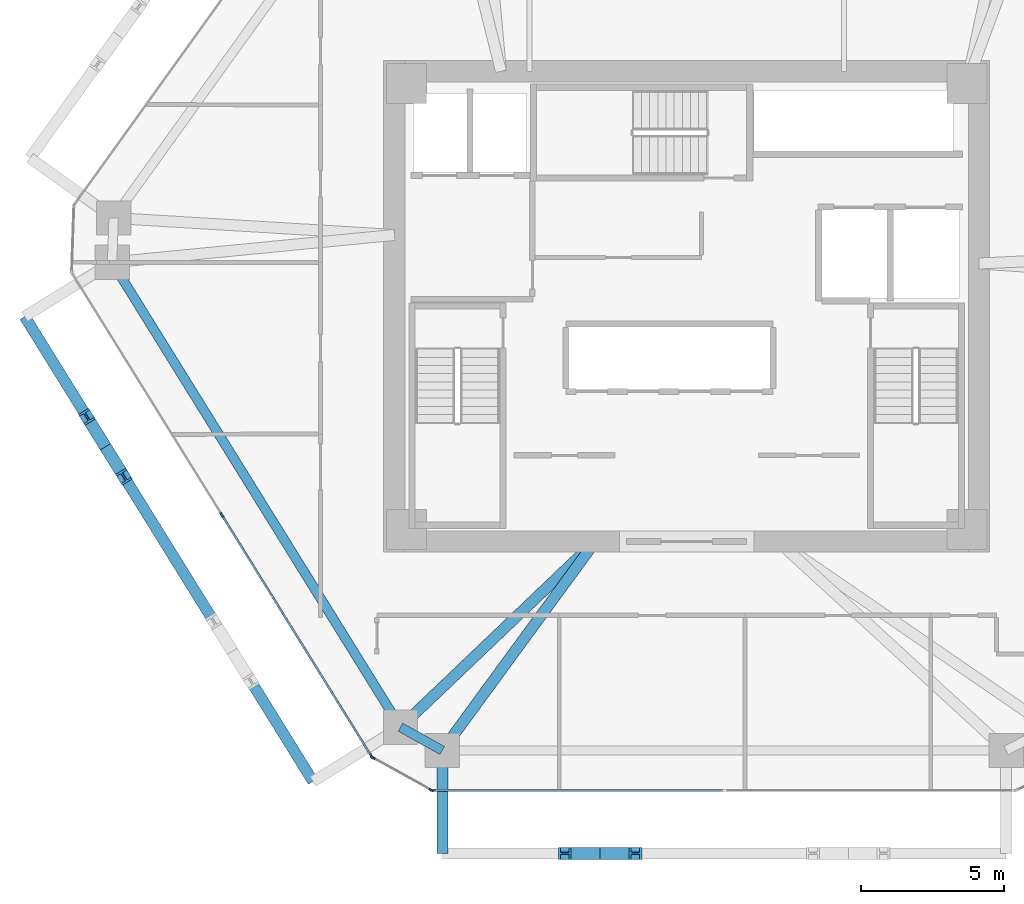
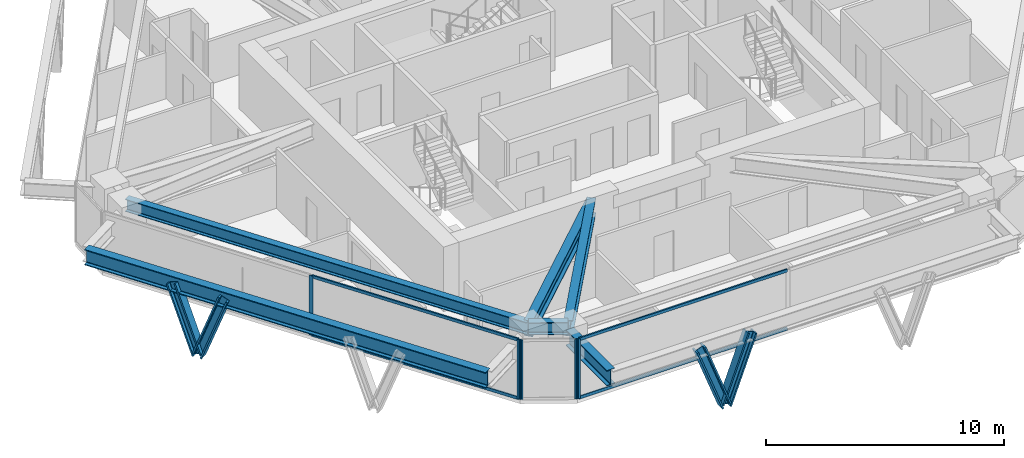
# One storey, part 2 of 14: 13 members, 6 beams, 3 elements without a shape of their own.
"""IFC4 building model written with IfcOpenShell, lengths in metres."""

from ifc_helpers import new_model, si_unit, direction, frame, origin, origin_2d, place, context, subcontext, project, spatial, rectangle, i_section, extrude, source, transform, mapped, material, layer, layer_set, material_profile, profile_set, type_object, type_shapes, element, aggregate, save


model = new_model("IFC4")

# Units and contexts
model_context = context("Model", 3, precision=1e-05, world=origin(), true_north=direction((0.0, 1.0)))
body_context = subcontext(model_context, "Body", "Model", "MODEL_VIEW")
ifc_project = project(units=[si_unit("LENGTHUNIT", "METRE"), si_unit("AREAUNIT", "SQUARE_METRE"), si_unit("VOLUMEUNIT", "CUBIC_METRE"), si_unit("PLANEANGLEUNIT", "RADIAN"), si_unit("MASSUNIT", "GRAM", prefix="KILO")], contexts=[model_context])

# Site, building, storey
site_placement = place(None, origin())
site = spatial("IfcSite", under=ifc_project, at=site_placement, CompositionType="ELEMENT")
building_placement = place(site_placement, origin())
building = spatial("IfcBuilding", under=site, at=building_placement, Name="Durnholm Broadcast Tower", CompositionType="ELEMENT")
storey_placement = place(building_placement, frame((0.0, 0.0, 114.0)))
storey = spatial("IfcBuildingStorey", under=building, at=storey_placement, Name="L30", CompositionType="ELEMENT", Elevation=114.0)

# Beams
ifc_material_1 = material(Name="Steel ASTM A992 Grade 50", Category="steel")
ifc_material_profile_1 = material_profile(ifc_material_1, i_section(OverallWidth=0.385009765625, OverallDepth=0.802978515625, WebThickness=0.023681640625, FlangeThickness=0.0419921875, FilletRadius=0.032958984375, at=origin_2d()), Name="W30X261")
ifc_profile_set_1 = profile_set([ifc_material_profile_1], Name="Steel ASTM A992 Grade 50")
beam_type_1 = type_object("IfcBeamType", Name="BM-EXO-TIE", PredefinedType="USERDEFINED", material=ifc_profile_set_1)
shared_shape_1 = source(origin(), body_context, "Body", "SweptSolid", [
    extrude(i_section(OverallWidth=0.385009765625, OverallDepth=0.802978515625, WebThickness=0.023681640625, FlangeThickness=0.0419921875, FilletRadius=0.032958984375, at=origin_2d()), origin(), (0.0, 0.0, 1.0), 3.4560546875),
])
beam_1_placement = place(storey_placement, frame((-8.552001953125, -15.680908203125, 2.30859375), z_axis=(0.0, -1.0, 0.0), x_axis=(1.0, 0.0, 0.0)))
element("IfcBeam", 1, at=beam_1_placement, inside=storey, type_object=beam_type_1, Name="L30 exoskeleton stand-off tie bracket F1.1", ObjectType="GIRDER", PredefinedType="USERDEFINED", context=body_context, shape_type="MappedRepresentation", body=[
    mapped(shared_shape_1, transform((0.0, 0.0, 0.0), x_axis=(1.0, 0.0, 0.0), y_axis=(0.0, 1.0, 0.0), z_axis=(0.0, 0.0, 1.0), scale=1.0)),
])
ifc_material_profile_2 = material_profile(ifc_material_1, i_section(OverallWidth=0.3291015625, OverallDepth=0.635009765625, WebThickness=0.017822265625, FlangeThickness=0.031005859375, FilletRadius=0.02783203125, at=origin_2d()), Name="W24X162")
ifc_profile_set_2 = profile_set([ifc_material_profile_2], Name="Steel ASTM A992 Grade 50")
beam_type_2 = type_object("IfcBeamType", Name="STL-SP-W24X162", PredefinedType="SPANDREL", material=ifc_profile_set_2)
shared_shape_2 = source(origin(), body_context, "Body", "SweptSolid", [
    extrude(i_section(OverallWidth=0.3291015625, OverallDepth=0.635009765625, WebThickness=0.017822265625, FlangeThickness=0.031005859375, FilletRadius=0.02783203125, at=origin_2d()), origin(), (0.0, 0.0, 1.0), 19.1396484375),
])
beam_2_placement = place(storey_placement, frame((-10.01416015625, -14.723388671875, 2.7275390625), z_axis=(-0.527105324954, 0.849799962582, 0.0), x_axis=(-0.849799962582, -0.527105324954, 0.0)))
element("IfcBeam", 2, at=beam_2_placement, inside=storey, type_object=beam_type_2, Name="L30 perimeter spandrel girder 01", PredefinedType="SPANDREL", context=body_context, shape_type="MappedRepresentation", body=[
    mapped(shared_shape_2, transform((0.0, 0.0, 0.0), x_axis=(1.0, 0.0, 0.0), y_axis=(0.0, 1.0, 0.0), z_axis=(0.0, 0.0, 1.0), scale=1.0)),
])
shared_shape_3 = source(origin(), body_context, "Body", "SweptSolid", [
    extrude(i_section(OverallWidth=0.3291015625, OverallDepth=0.635009765625, WebThickness=0.017822265625, FlangeThickness=0.031005859375, FilletRadius=0.02783203125, at=origin_2d()), origin(), (0.0, 0.0, 1.0), 1.67333984375),
])
type_shapes(beam_type_2, [shared_shape_2, shared_shape_3])
beam_3_placement = place(storey_placement, frame((-8.552001953125, -15.537109375, 2.7275390625), z_axis=(-0.873799169188, 0.486286964586, 0.0), x_axis=(-0.486286964586, -0.873799169188, 0.0)))
element("IfcBeam", 3, at=beam_3_placement, inside=storey, type_object=beam_type_2, Name="L30 perimeter spandrel girder 12", PredefinedType="SPANDREL", context=body_context, shape_type="MappedRepresentation", body=[
    mapped(shared_shape_3, transform((0.0, 0.0, 0.0), x_axis=(1.0, 0.0, 0.0), y_axis=(0.0, 1.0, 0.0), z_axis=(0.0, 0.0, 1.0), scale=1.0)),
])
ifc_material_profile_3 = material_profile(ifc_material_1, i_section(OverallWidth=0.385009765625, OverallDepth=0.802978515625, WebThickness=0.023681640625, FlangeThickness=0.0419921875, FilletRadius=0.032958984375, at=origin_2d()), Name="W30X261")
ifc_profile_set_3 = profile_set([ifc_material_profile_3], Name="Steel ASTM A992 Grade 50")
beam_type_3 = type_object("IfcBeamType", Name="STL-GR-W30X261", PredefinedType="USERDEFINED", material=ifc_profile_set_3)
shared_shape_4 = source(origin(), body_context, "Body", "SweptSolid", [
    extrude(i_section(OverallWidth=0.385009765625, OverallDepth=0.802978515625, WebThickness=0.023681640625, FlangeThickness=0.0419921875, FilletRadius=0.032958984375, at=origin_2d()), origin(), (0.0, 0.0, 1.0), 9.416015625),
])
beam_4_placement = place(storey_placement, frame((-3.199951171875, -8.22509765625, 2.6435546875), z_axis=(-0.723683335801, -0.690132182617, 0.0), x_axis=(0.690132182617, -0.723683335801, 0.0)))
element("IfcBeam", 4, at=beam_4_placement, inside=storey, type_object=beam_type_3, Name="L30 radial primary floor girder 01", ObjectType="GIRDER", PredefinedType="USERDEFINED", context=body_context, shape_type="MappedRepresentation", body=[
    mapped(shared_shape_4, transform((0.0, 0.0, 0.0), x_axis=(1.0, 0.0, 0.0), y_axis=(0.0, 1.0, 0.0), z_axis=(0.0, 0.0, 1.0), scale=1.0)),
])
shared_shape_5 = source(origin(), body_context, "Body", "SweptSolid", [
    extrude(i_section(OverallWidth=0.385009765625, OverallDepth=0.802978515625, WebThickness=0.023681640625, FlangeThickness=0.0419921875, FilletRadius=0.032958984375, at=origin_2d()), origin(), (0.0, 0.0, 1.0), 9.0615234375),
])
type_shapes(beam_type_3, [shared_shape_4, shared_shape_5])
beam_5_placement = place(storey_placement, frame((-3.199951171875, -8.22509765625, 2.6435546875), z_axis=(-0.590639241086, -0.806935739008, 0.0), x_axis=(0.806935739008, -0.590639241086, 0.0)))
element("IfcBeam", 5, at=beam_5_placement, inside=storey, type_object=beam_type_3, Name="L30 radial primary floor girder 12", ObjectType="GIRDER", PredefinedType="USERDEFINED", context=body_context, shape_type="MappedRepresentation", body=[
    mapped(shared_shape_5, transform((0.0, 0.0, 0.0), x_axis=(1.0, 0.0, 0.0), y_axis=(0.0, 1.0, 0.0), z_axis=(0.0, 0.0, 1.0), scale=1.0)),
])
shared_shape_6 = source(origin(), body_context, "Body", "SweptSolid", [
    extrude(i_section(OverallWidth=0.385009765625, OverallDepth=0.802978515625, WebThickness=0.023681640625, FlangeThickness=0.0419921875, FilletRadius=0.032958984375, at=origin_2d()), origin(), (0.0, 0.0, 1.0), 19.139404296875),
])
type_shapes(beam_type_1, [shared_shape_1, shared_shape_6])
beam_6_placement = place(storey_placement, frame((-23.162109375, -0.356201171875, 2.30859375), z_axis=(0.527111038734, -0.84979641847, 0.0), x_axis=(0.84979641847, 0.527111038734, 0.0)))
element("IfcBeam", 6, at=beam_6_placement, inside=storey, type_object=beam_type_1, Name="L30 exoskeleton collector spandrel F6", PredefinedType="SPANDREL", context=body_context, shape_type="MappedRepresentation", body=[
    mapped(shared_shape_6, transform((0.0, 0.0, 0.0), x_axis=(1.0, 0.0, 0.0), y_axis=(0.0, 1.0, 0.0), z_axis=(0.0, 0.0, 1.0), scale=1.0)),
])

# Members
ifc_material_2 = material(Name="Steel ASTM A913 Grade 65", Category="steel")
ifc_material_profile_4 = material_profile(ifc_material_2, i_section(OverallWidth=0.424072265625, OverallDepth=0.47412109375, WebThickness=0.047607421875, FlangeThickness=0.0771484375, FilletRadius=0.030517578125, at=origin_2d()), Name="W14X426")
ifc_profile_set_4 = profile_set([ifc_material_profile_4], Name="Steel ASTM A913 Grade 65")
member_type_1 = type_object("IfcMemberType", Name="STL-DG-W14X426", PredefinedType="BRACE", material=ifc_profile_set_4)
shared_shape_7 = source(origin(), body_context, "Body", "SweptSolid", [
    extrude(i_section(OverallWidth=0.424072265625, OverallDepth=0.47412109375, WebThickness=0.047607421875, FlangeThickness=0.0771484375, FilletRadius=0.030517578125, at=origin_2d()), origin(), (0.0, 0.0, 1.0), 3.523193359375),
])
type_shapes(member_type_1, [shared_shape_7])
for number, where, z_axis, x_axis, name in (
    (7, (-3.028076171875, -19.136962890625, -0.991455078125), (-0.350219588454, 0.0, 0.936667625075), (0.0, -1.0, 0.0), "L30 stand-off diagrid brace F1.D1.1"),
    (8, (-3.028076171875, -19.136962890625, -0.991455078125), (0.350219588454, 0.0, 0.936667625075), (0.0, 1.0, 0.0), "L30 stand-off diagrid brace F1.D1.2"),
    (9, (-20.337158203125, -4.910400390625, -0.991455078125), (-0.184602835855, 0.297623566065, 0.936665364961), (-0.849805205368, -0.527096872433, 0.0), "L30 stand-off diagrid brace F6.D1.1"),
    (10, (-20.337158203125, -4.910400390625, -0.991455078125), (0.184606642766, -0.297560406921, 0.936684681032), (0.849750220063, 0.527185511469, 0.0), "L30 stand-off diagrid brace F6.D1.2"),
):
    element("IfcMember", number, at=place(storey_placement, frame(where, z_axis=z_axis, x_axis=x_axis)), inside=storey, type_object=member_type_1, Name=name, PredefinedType="BRACE", context=body_context, shape_type="MappedRepresentation", body=[
        mapped(shared_shape_7, transform((0.0, 0.0, 0.0), x_axis=(1.0, 0.0, 0.0), y_axis=(0.0, 1.0, 0.0), z_axis=(0.0, 0.0, 1.0), scale=1.0)),
    ])

# Curtain wall, members
ifc_material_3 = material(Name="Aluminium and Solar Control IGU", Category="aluminium")
ifc_layer_1 = layer(ifc_material_3, 0.1650390625)
ifc_layer_set_1 = layer_set([ifc_layer_1], Name="Aluminium and Solar Control IGU")
curtain_wall_type_1 = type_object("IfcCurtainWallType", Name="CW-SYS-5", PredefinedType="NOTDEFINED", material=ifc_layer_set_1)
curtain_wall_1_placement = place(storey_placement, origin())
curtain_wall_1 = element("IfcCurtainWall", 11, at=curtain_wall_1_placement, inside=storey, type_object=curtain_wall_type_1, Name="L30 curtain wall CW-CORNER CW-L30-CRN-11", PredefinedType="NOTDEFINED")
ifc_material_4 = material(Name="Aluminium 6063-T6", Category="aluminium")
ifc_material_profile_5 = material_profile(ifc_material_4, rectangle(XDim=0.06494140625, YDim=0.1650390625, at=origin_2d()), Name="CWM65X165")
ifc_profile_set_5 = profile_set([ifc_material_profile_5], Name="Aluminium 6063-T6")
member_type_2 = type_object("IfcMemberType", Name="CW-SYS-5-MUL", PredefinedType="MULLION", material=ifc_profile_set_5)
shared_shape_8 = source(origin(), body_context, "Body", "SweptSolid", [
    extrude(rectangle(XDim=0.06494140625, YDim=0.1650390625, at=origin_2d()), origin(), (0.0, 0.0, 1.0), 3.06005859375),
])
type_shapes(member_type_2, [shared_shape_8])
member_1_placement = place(storey_placement, frame((-8.943603515625, -16.921142578125, 0.0), z_axis=(0.0, 0.0, 1.0), x_axis=(-0.486244224192, -0.873822953715, 0.0)))
member_1 = element("IfcMember", 12, at=member_1_placement, type_object=member_type_2, Name="CW-CORNER mullion 1", PredefinedType="MULLION", context=body_context, shape_type="MappedRepresentation", body=[
    mapped(shared_shape_8, transform((0.0, 0.0, 0.0), x_axis=(1.0, 0.0, 0.0), y_axis=(0.0, 1.0, 0.0), z_axis=(0.0, 0.0, 1.0), scale=1.0)),
])
member_2_placement = place(storey_placement, frame((-10.98388671875, -15.785888671875, 0.0), z_axis=(0.0, 0.0, 1.0), x_axis=(-0.486244224192, -0.873822953715, 0.0)))
member_2 = element("IfcMember", 13, at=member_2_placement, type_object=member_type_2, Name="CW-CORNER mullion 2", PredefinedType="MULLION", context=body_context, shape_type="MappedRepresentation", body=[
    mapped(shared_shape_8, transform((0.0, 0.0, 0.0), x_axis=(1.0, 0.0, 0.0), y_axis=(0.0, 1.0, 0.0), z_axis=(0.0, 0.0, 1.0), scale=1.0)),
])
aggregate(curtain_wall_1, [member_1, member_2])

# Curtain wall, member
ifc_layer_2 = layer(ifc_material_3, 0.18994140625)
ifc_layer_set_2 = layer_set([ifc_layer_2], Name="Aluminium and Solar Control IGU")
curtain_wall_type_2 = type_object("IfcCurtainWallType", Name="CW-SYS-3", PredefinedType="NOTDEFINED", material=ifc_layer_set_2)
curtain_wall_2_placement = place(storey_placement, origin())
curtain_wall_2 = element("IfcCurtainWall", 14, at=curtain_wall_2_placement, inside=storey, type_object=curtain_wall_type_2, Name="L30 curtain wall CW-Z12-VIS CW-L30-F10", PredefinedType="NOTDEFINED")
ifc_material_profile_6 = material_profile(ifc_material_4, rectangle(XDim=0.070068359375, YDim=0.18994140625, at=origin_2d()), Name="CWM70X190")
ifc_profile_set_6 = profile_set([ifc_material_profile_6], Name="Aluminium 6063-T6")
member_type_3 = type_object("IfcMemberType", Name="CW-SYS-3-MUL", PredefinedType="MULLION", material=ifc_profile_set_6)
shared_shape_9 = source(origin(), body_context, "Body", "SweptSolid", [
    extrude(rectangle(XDim=0.070068359375, YDim=0.18994140625, at=origin_2d()), origin(), (0.0, 0.0, 1.0), 3.06005859375),
])
type_shapes(member_type_3, [shared_shape_9])
member_3_placement = place(storey_placement, frame((-8.880126953125, -16.93701171875, 0.0), z_axis=(0.0, 0.0, 1.0), x_axis=(0.0, -1.0, 0.0)))
member_3 = element("IfcMember", 15, at=member_3_placement, type_object=member_type_3, Name="CW-Z12-VIS mullion 3", PredefinedType="MULLION", context=body_context, shape_type="MappedRepresentation", body=[
    mapped(shared_shape_9, transform((0.0, 0.0, 0.0), x_axis=(1.0, 0.0, 0.0), y_axis=(0.0, 1.0, 0.0), z_axis=(0.0, 0.0, 1.0), scale=1.0)),
])

# Curtain wall, members
curtain_wall_3_placement = place(storey_placement, origin())
curtain_wall_3 = element("IfcCurtainWall", 16, at=curtain_wall_3_placement, inside=storey, type_object=curtain_wall_type_2, Name="L30 curtain wall CW-Z12-VIS CW-L30-F12", PredefinedType="NOTDEFINED")
member_4_placement = place(storey_placement, frame((-11.03076171875, -15.740234375, 0.0), z_axis=(0.0, 0.0, 1.0), x_axis=(-0.849799925229, -0.527105385176, 0.0)))
member_4 = element("IfcMember", 17, at=member_4_placement, type_object=member_type_3, Name="CW-Z12-VIS mullion 1", PredefinedType="MULLION", context=body_context, shape_type="MappedRepresentation", body=[
    mapped(shared_shape_9, transform((0.0, 0.0, 0.0), x_axis=(1.0, 0.0, 0.0), y_axis=(0.0, 1.0, 0.0), z_axis=(0.0, 0.0, 1.0), scale=1.0)),
])
member_5_placement = place(storey_placement, frame((-16.264404296875, -7.302734375, 0.0), z_axis=(0.0, 0.0, 1.0), x_axis=(-0.849799925229, -0.527105385176, 0.0)))
member_5 = element("IfcMember", 18, at=member_5_placement, type_object=member_type_3, Name="CW-Z12-VIS mullion 2", PredefinedType="MULLION", context=body_context, shape_type="MappedRepresentation", body=[
    mapped(shared_shape_9, transform((0.0, 0.0, 0.0), x_axis=(1.0, 0.0, 0.0), y_axis=(0.0, 1.0, 0.0), z_axis=(0.0, 0.0, 1.0), scale=1.0)),
])

# Member
ifc_material_profile_7 = material_profile(ifc_material_4, rectangle(XDim=0.070068359375, YDim=0.14990234375, at=origin_2d()), Name="CWT70X150")
ifc_profile_set_7 = profile_set([ifc_material_profile_7], Name="Aluminium 6063-T6")
member_type_4 = type_object("IfcMemberType", Name="CW-SYS-3-TRN", PredefinedType="USERDEFINED", material=ifc_profile_set_7)
shared_shape_10 = source(origin(), body_context, "Body", "SweptSolid", [
    extrude(rectangle(XDim=0.070068359375, YDim=0.14990234375, at=origin_2d()), origin(), (0.0, 0.0, 1.0), 10.109619140625),
])
member_6_placement = place(storey_placement, frame((1.264404296875, -16.93701171875, 0.034912109375), z_axis=(-1.0, 0.0, 0.0), x_axis=(0.0, -1.0, 0.0)))
member_6 = element("IfcMember", 19, at=member_6_placement, type_object=member_type_4, Name="CW-Z12-VIS transom 2.1", ObjectType="TRANSOM", PredefinedType="USERDEFINED", context=body_context, shape_type="MappedRepresentation", body=[
    mapped(shared_shape_10, transform((0.0, 0.0, 0.0), x_axis=(1.0, 0.0, 0.0), y_axis=(0.0, 1.0, 0.0), z_axis=(0.0, 0.0, 1.0), scale=1.0)),
])

member_7_placement = place(storey_placement, frame((1.264404296875, -16.93701171875, 3.02490234375), z_axis=(-1.0, 0.0, 0.0), x_axis=(0.0, -1.0, 0.0)))
member_7 = element("IfcMember", 20, at=member_7_placement, type_object=member_type_4, Name="CW-Z12-VIS transom 2.2", ObjectType="TRANSOM", PredefinedType="USERDEFINED", context=body_context, shape_type="MappedRepresentation", body=[
    mapped(shared_shape_10, transform((0.0, 0.0, 0.0), x_axis=(1.0, 0.0, 0.0), y_axis=(0.0, 1.0, 0.0), z_axis=(0.0, 0.0, 1.0), scale=1.0)),
])

aggregate(curtain_wall_2, [member_3, member_6, member_7])

shared_shape_11 = source(origin(), body_context, "Body", "SweptSolid", [
    extrude(rectangle(XDim=0.070068359375, YDim=0.14990234375, at=origin_2d()), origin(), (0.0, 0.0, 1.0), 9.858642578125),
])
type_shapes(member_type_4, [shared_shape_10, shared_shape_11])
member_8_placement = place(storey_placement, frame((-11.04931640625, -15.71044921875, 0.034912109375), z_axis=(-0.527102081419, 0.849801974441, 0.0), x_axis=(-0.849801974441, -0.527102081419, 0.0)))
member_8 = element("IfcMember", 21, at=member_8_placement, type_object=member_type_4, Name="CW-Z12-VIS transom 1.1", ObjectType="TRANSOM", PredefinedType="USERDEFINED", context=body_context, shape_type="MappedRepresentation", body=[
    mapped(shared_shape_11, transform((0.0, 0.0, 0.0), x_axis=(1.0, 0.0, 0.0), y_axis=(0.0, 1.0, 0.0), z_axis=(0.0, 0.0, 1.0), scale=1.0)),
])

member_9_placement = place(storey_placement, frame((-11.04931640625, -15.71044921875, 3.02490234375), z_axis=(-0.527102081419, 0.849801974441, 0.0), x_axis=(-0.849801974441, -0.527102081419, 0.0)))
member_9 = element("IfcMember", 22, at=member_9_placement, type_object=member_type_4, Name="CW-Z12-VIS transom 1.2", ObjectType="TRANSOM", PredefinedType="USERDEFINED", context=body_context, shape_type="MappedRepresentation", body=[
    mapped(shared_shape_11, transform((0.0, 0.0, 0.0), x_axis=(1.0, 0.0, 0.0), y_axis=(0.0, 1.0, 0.0), z_axis=(0.0, 0.0, 1.0), scale=1.0)),
])

aggregate(curtain_wall_3, [member_4, member_5, member_8, member_9])

save(model, "model.ifc")
